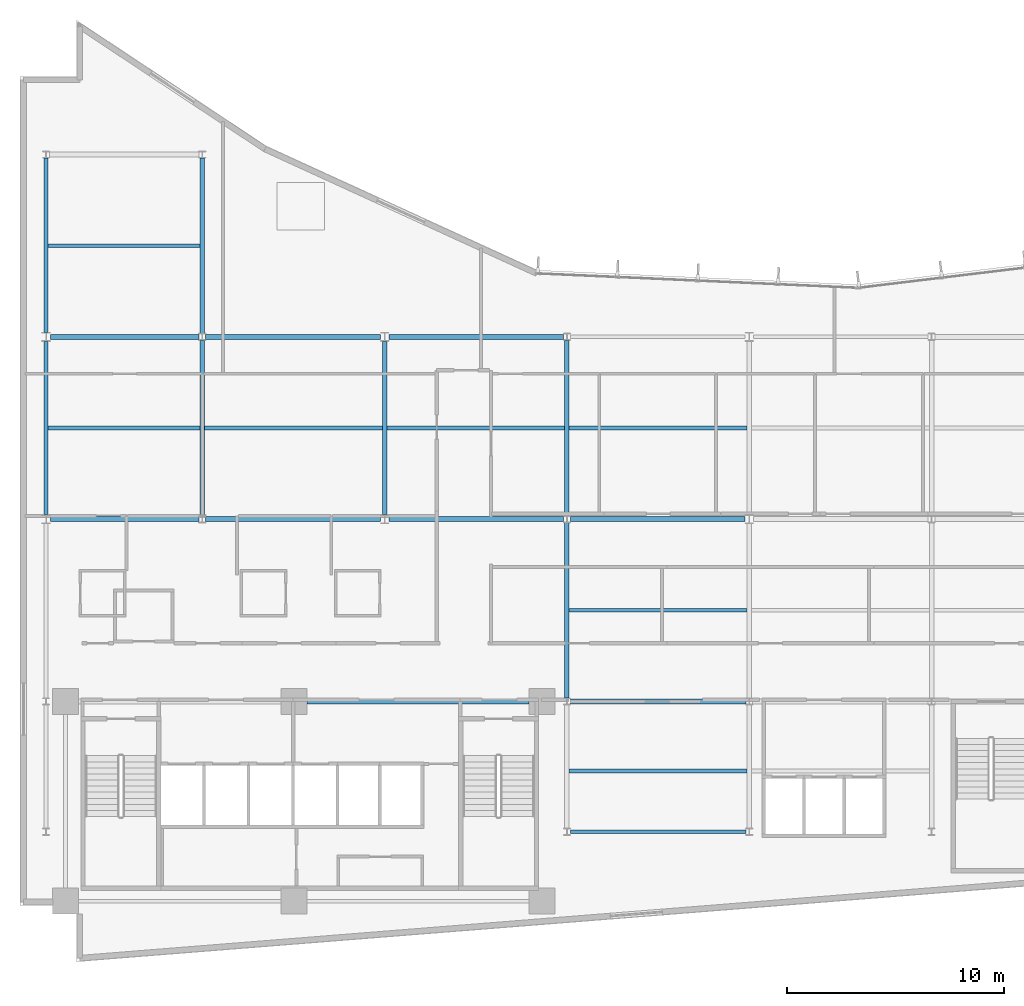
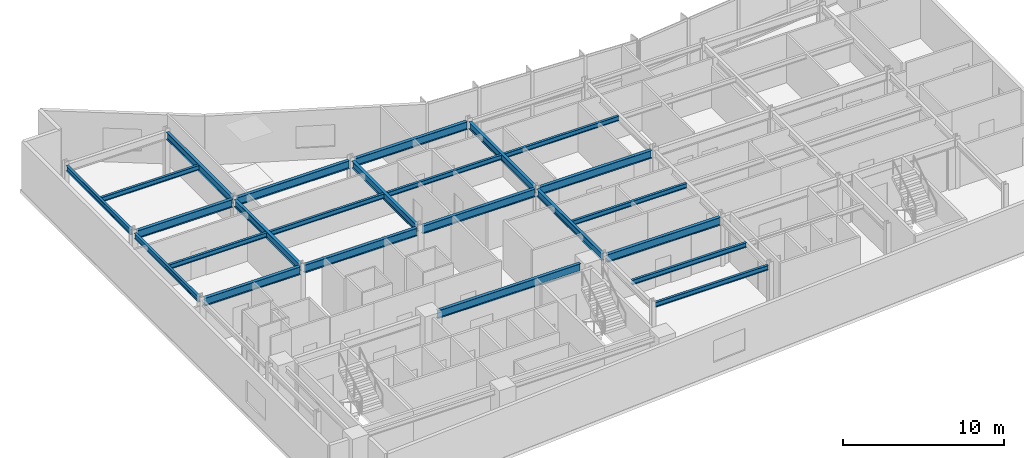
# One storey, part 4 of 18: 24 beams.
"""IFC4 building model written with IfcOpenShell, lengths in metres."""

from ifc_helpers import new_model, si_unit, direction, frame, origin, origin_2d, place, context, subcontext, project, spatial, i_section, extrude, material, material_profile, profile_set, type_object, element, save


model = new_model("IFC4")

# Units and contexts
model_context = context("Model", 3, precision=1e-05, world=origin(), true_north=direction((0.0, 1.0)))
body_context = subcontext(model_context, "Body", "Model", "MODEL_VIEW")
ifc_project = project(units=[si_unit("LENGTHUNIT", "METRE"), si_unit("AREAUNIT", "SQUARE_METRE"), si_unit("VOLUMEUNIT", "CUBIC_METRE"), si_unit("PLANEANGLEUNIT", "RADIAN"), si_unit("MASSUNIT", "GRAM", prefix="KILO")], contexts=[model_context])

# Site, building, storey
site_placement = place(None, origin())
site = spatial("IfcSite", under=ifc_project, at=site_placement, CompositionType="ELEMENT")
building_placement = place(site_placement, origin())
building = spatial("IfcBuilding", under=site, at=building_placement, Name="Varnakote Quay Hospital", CompositionType="ELEMENT")
storey_placement = place(building_placement, frame((0.0, 0.0, 150.75)))
storey = spatial("IfcBuildingStorey", under=building, at=storey_placement, Name="L37", CompositionType="ELEMENT", Elevation=150.75)

# Beams
ifc_material_1 = material(Name="Structural steel AS/NZS 3679.1 Grade 350 L0 (fy 340 MPa)", Category="steel")
ifc_material_profile_1 = material_profile(ifc_material_1, i_section(OverallWidth=0.208984375, OverallDepth=0.532958984375, WebThickness=0.01025390625, FlangeThickness=0.015625, FilletRadius=0.013916015625, at=origin_2d()), Name="530UB92.4")
ifc_profile_set_1 = profile_set([ifc_material_profile_1], Name="Structural steel AS/NZS 3679.1 Grade 350 L0 (fy 340 MPa)")
beam_type_1 = type_object("IfcBeamType", Name="BM-STL-530UB92-4", PredefinedType="BEAM", material=ifc_profile_set_1)
for number, where, z_axis, x_axis, name in (
    (1, (8.39990234375, 20.5576171875, 3.443603515625), (0.0, 1.0, 0.0), (-1.0, 0.0, 0.0), "L37 Primary Tie Beam"),
    (2, (8.39990234375, 28.95751953125, 3.443603515625), (0.0, 1.0, 0.0), (-1.0, 0.0, 0.0), "L37 Primary Tie Beam"),
):
    element("IfcBeam", number, at=place(storey_placement, frame(where, z_axis=z_axis, x_axis=x_axis)), inside=storey, type_object=beam_type_1, Name=name, PredefinedType="BEAM", context=body_context, shape_type="SweptSolid", body=[
        extrude(i_section(OverallWidth=0.208984375, OverallDepth=0.532958984375, WebThickness=0.01025390625, FlangeThickness=0.015625, FilletRadius=0.013916015625, at=origin_2d()), origin(), (0.0, 0.0, 1.0), 8.0849609375),
    ])
beam_1_placement = place(storey_placement, frame((16.800048828125, 20.610107421875, 3.443603515625), z_axis=(0.0, 1.0, 0.0), x_axis=(-1.0, 0.0, 0.0)))
element("IfcBeam", 3, at=beam_1_placement, inside=storey, type_object=beam_type_1, Name="L37 Primary Tie Beam", PredefinedType="BEAM", context=body_context, shape_type="SweptSolid", body=[
    extrude(i_section(OverallWidth=0.208984375, OverallDepth=0.532958984375, WebThickness=0.01025390625, FlangeThickness=0.015625, FilletRadius=0.013916015625, at=origin_2d()), origin(), (0.0, 0.0, 1.0), 7.97998046875),
])
for number, where, z_axis, x_axis, name in (
    (4, (25.199951171875, 12.157470703125, 3.443603515625), (0.0, 1.0, 0.0), (-1.0, 0.0, 0.0), "L37 Primary Tie Beam"),
    (5, (25.199951171875, 20.5576171875, 3.443603515625), (0.0, 1.0, 0.0), (-1.0, 0.0, 0.0), "L37 Primary Tie Beam"),
):
    element("IfcBeam", number, at=place(storey_placement, frame(where, z_axis=z_axis, x_axis=x_axis)), inside=storey, type_object=beam_type_1, Name=name, PredefinedType="BEAM", context=body_context, shape_type="SweptSolid", body=[
        extrude(i_section(OverallWidth=0.208984375, OverallDepth=0.532958984375, WebThickness=0.01025390625, FlangeThickness=0.015625, FilletRadius=0.013916015625, at=origin_2d()), origin(), (0.0, 0.0, 1.0), 8.0849609375),
    ])
ifc_material_2 = material(Name="Structural steel AS/NZS 3679.1 Grade 350 L0 (fy 340 MPa)", Category="steel")
ifc_material_profile_2 = material_profile(ifc_material_2, i_section(OverallWidth=0.22802734375, OverallDepth=0.60205078125, WebThickness=0.010498046875, FlangeThickness=0.014892578125, FilletRadius=0.013916015625, at=origin_2d()), Name="610UB101")
ifc_profile_set_2 = profile_set([ifc_material_profile_2], Name="Structural steel AS/NZS 3679.1 Grade 350 L0 (fy 340 MPa)")
beam_type_2 = type_object("IfcBeamType", Name="BM-STL-610UB101", PredefinedType="BEAM", material=ifc_profile_set_2)
beam_2_placement = place(storey_placement, frame((13.219970703125, 12.0, 3.408935546875), z_axis=(1.0, 0.0, 0.0), x_axis=(0.0, 1.0, 0.0)))
element("IfcBeam", 6, at=beam_2_placement, inside=storey, type_object=beam_type_2, Name="L37 Primary Floor Beam", PredefinedType="BEAM", context=body_context, shape_type="SweptSolid", body=[
    extrude(i_section(OverallWidth=0.22802734375, OverallDepth=0.60205078125, WebThickness=0.010498046875, FlangeThickness=0.014892578125, FilletRadius=0.013916015625, at=origin_2d()), origin(), (0.0, 0.0, 1.0), 10.22998046875),
])
beam_3_placement = place(storey_placement, frame((25.353515625, 12.0, 3.408935546875), z_axis=(1.0, 0.0, 0.0), x_axis=(0.0, 1.0, 0.0)))
element("IfcBeam", 7, at=beam_3_placement, inside=storey, type_object=beam_type_2, Name="L37 Primary Floor Beam", PredefinedType="BEAM", context=body_context, shape_type="SweptSolid", body=[
    extrude(i_section(OverallWidth=0.22802734375, OverallDepth=0.60205078125, WebThickness=0.010498046875, FlangeThickness=0.014892578125, FilletRadius=0.013916015625, at=origin_2d()), origin(), (0.0, 0.0, 1.0), 8.093017578125),
])
beam_4_placement = place(storey_placement, frame((1.39990234375, 20.39990234375, 3.408935546875), z_axis=(1.0, 0.0, 0.0), x_axis=(0.0, 1.0, 0.0)))
element("IfcBeam", 8, at=beam_4_placement, inside=storey, type_object=beam_type_2, Name="L37 Primary Floor Beam", PredefinedType="BEAM", context=body_context, shape_type="SweptSolid", body=[
    extrude(i_section(OverallWidth=0.22802734375, OverallDepth=0.60205078125, WebThickness=0.010498046875, FlangeThickness=0.014892578125, FilletRadius=0.013916015625, at=origin_2d()), origin(), (0.0, 0.0, 1.0), 6.8466796875),
])
beam_5_placement = place(storey_placement, frame((8.553466796875, 20.39990234375, 3.408935546875), z_axis=(1.0, 0.0, 0.0), x_axis=(0.0, 1.0, 0.0)))
element("IfcBeam", 9, at=beam_5_placement, inside=storey, type_object=beam_type_2, Name="L37 Primary Floor Beam", PredefinedType="BEAM", context=body_context, shape_type="SweptSolid", body=[
    extrude(i_section(OverallWidth=0.22802734375, OverallDepth=0.60205078125, WebThickness=0.010498046875, FlangeThickness=0.014892578125, FilletRadius=0.013916015625, at=origin_2d()), origin(), (0.0, 0.0, 1.0), 8.046630859375),
])
for number, where, z_axis, x_axis, name in (
    (10, (17.0, 20.39990234375, 3.408935546875), (1.0, 0.0, 0.0), (0.0, 1.0, 0.0), "L37 Primary Floor Beam"),
    (11, (25.353515625, 20.39990234375, 3.408935546875), (1.0, 0.0, 0.0), (0.0, 1.0, 0.0), "L37 Primary Floor Beam"),
):
    element("IfcBeam", number, at=place(storey_placement, frame(where, z_axis=z_axis, x_axis=x_axis)), inside=storey, type_object=beam_type_2, Name=name, PredefinedType="BEAM", context=body_context, shape_type="SweptSolid", body=[
        extrude(i_section(OverallWidth=0.22802734375, OverallDepth=0.60205078125, WebThickness=0.010498046875, FlangeThickness=0.014892578125, FilletRadius=0.013916015625, at=origin_2d()), origin(), (0.0, 0.0, 1.0), 8.04638671875),
    ])
beam_6_placement = place(storey_placement, frame((1.39990234375, 28.800048828125, 3.408935546875), z_axis=(1.0, 0.0, 0.0), x_axis=(0.0, 1.0, 0.0)))
element("IfcBeam", 12, at=beam_6_placement, inside=storey, type_object=beam_type_2, Name="L37 Primary Floor Beam", PredefinedType="BEAM", context=body_context, shape_type="SweptSolid", body=[
    extrude(i_section(OverallWidth=0.22802734375, OverallDepth=0.60205078125, WebThickness=0.010498046875, FlangeThickness=0.014892578125, FilletRadius=0.013916015625, at=origin_2d()), origin(), (0.0, 0.0, 1.0), 6.8466796875),
])
beam_7_placement = place(storey_placement, frame((8.553466796875, 28.800048828125, 3.408935546875), z_axis=(1.0, 0.0, 0.0), x_axis=(0.0, 1.0, 0.0)))
element("IfcBeam", 13, at=beam_7_placement, inside=storey, type_object=beam_type_2, Name="L37 Primary Floor Beam", PredefinedType="BEAM", context=body_context, shape_type="SweptSolid", body=[
    extrude(i_section(OverallWidth=0.22802734375, OverallDepth=0.60205078125, WebThickness=0.010498046875, FlangeThickness=0.014892578125, FilletRadius=0.013916015625, at=origin_2d()), origin(), (0.0, 0.0, 1.0), 8.046630859375),
])
beam_8_placement = place(storey_placement, frame((17.0, 28.800048828125, 3.408935546875), z_axis=(1.0, 0.0, 0.0), x_axis=(0.0, 1.0, 0.0)))
element("IfcBeam", 14, at=beam_8_placement, inside=storey, type_object=beam_type_2, Name="L37 Primary Floor Beam", PredefinedType="BEAM", context=body_context, shape_type="SweptSolid", body=[
    extrude(i_section(OverallWidth=0.22802734375, OverallDepth=0.60205078125, WebThickness=0.010498046875, FlangeThickness=0.014892578125, FilletRadius=0.013916015625, at=origin_2d()), origin(), (0.0, 0.0, 1.0), 8.04638671875),
])
ifc_material_3 = material(Name="Structural steel AS/NZS 3679.1 Grade 350 L0 (fy 340 MPa)", Category="steel")
ifc_material_profile_3 = material_profile(ifc_material_3, i_section(OverallWidth=0.1708984375, OverallDepth=0.35595703125, WebThickness=0.00732421875, FlangeThickness=0.011474609375, FilletRadius=0.011474609375, at=origin_2d()), Name="360UB50.7")
ifc_profile_set_3 = profile_set([ifc_material_profile_3], Name="Structural steel AS/NZS 3679.1 Grade 350 L0 (fy 340 MPa)")
beam_type_3 = type_object("IfcBeamType", Name="JST-STL-360UB50-7", PredefinedType="JOIST", material=ifc_profile_set_3)
for number, where, z_axis, x_axis, name in (
    (15, (25.304443359375, 8.800048828125, 3.531982421875), (1.0, 0.0, 0.0), (0.0, 1.0, 0.0), "L37 Composite Floor Joist"),
    (16, (25.304443359375, 16.199951171875, 3.531982421875), (1.0, 0.0, 0.0), (0.0, 1.0, 0.0), "L37 Composite Floor Joist"),
):
    element("IfcBeam", number, at=place(storey_placement, frame(where, z_axis=z_axis, x_axis=x_axis)), inside=storey, type_object=beam_type_3, Name=name, PredefinedType="JOIST", context=body_context, shape_type="SweptSolid", body=[
        extrude(i_section(OverallWidth=0.1708984375, OverallDepth=0.35595703125, WebThickness=0.00732421875, FlangeThickness=0.011474609375, FilletRadius=0.011474609375, at=origin_2d()), origin(), (0.0, 0.0, 1.0), 8.191162109375),
    ])
beam_9_placement = place(storey_placement, frame((1.2890625, 24.60009765625, 3.531982421875), z_axis=(1.0, 0.0, 0.0), x_axis=(0.0, 1.0, 0.0)))
element("IfcBeam", 17, at=beam_9_placement, inside=storey, type_object=beam_type_3, Name="L37 Composite Floor Joist", PredefinedType="JOIST", context=body_context, shape_type="SweptSolid", body=[
    extrude(i_section(OverallWidth=0.1708984375, OverallDepth=0.35595703125, WebThickness=0.00732421875, FlangeThickness=0.011474609375, FilletRadius=0.011474609375, at=origin_2d()), origin(), (0.0, 0.0, 1.0), 7.00634765625),
])
beam_10_placement = place(storey_placement, frame((8.50439453125, 24.60009765625, 3.531982421875), z_axis=(1.0, 0.0, 0.0), x_axis=(0.0, 1.0, 0.0)))
element("IfcBeam", 18, at=beam_10_placement, inside=storey, type_object=beam_type_3, Name="L37 Composite Floor Joist", PredefinedType="JOIST", context=body_context, shape_type="SweptSolid", body=[
    extrude(i_section(OverallWidth=0.1708984375, OverallDepth=0.35595703125, WebThickness=0.00732421875, FlangeThickness=0.011474609375, FilletRadius=0.011474609375, at=origin_2d()), origin(), (0.0, 0.0, 1.0), 8.191162109375),
])
beam_11_placement = place(storey_placement, frame((16.904541015625, 24.60009765625, 3.531982421875), z_axis=(1.0, 0.0, 0.0), x_axis=(0.0, 1.0, 0.0)))
element("IfcBeam", 19, at=beam_11_placement, inside=storey, type_object=beam_type_3, Name="L37 Composite Floor Joist", PredefinedType="JOIST", context=body_context, shape_type="SweptSolid", body=[
    extrude(i_section(OverallWidth=0.1708984375, OverallDepth=0.35595703125, WebThickness=0.00732421875, FlangeThickness=0.011474609375, FilletRadius=0.011474609375, at=origin_2d()), origin(), (0.0, 0.0, 1.0), 8.19091796875),
])
beam_12_placement = place(storey_placement, frame((25.304443359375, 24.60009765625, 3.531982421875), z_axis=(1.0, 0.0, 0.0), x_axis=(0.0, 1.0, 0.0)))
element("IfcBeam", 20, at=beam_12_placement, inside=storey, type_object=beam_type_3, Name="L37 Composite Floor Joist", PredefinedType="JOIST", context=body_context, shape_type="SweptSolid", body=[
    extrude(i_section(OverallWidth=0.1708984375, OverallDepth=0.35595703125, WebThickness=0.00732421875, FlangeThickness=0.011474609375, FilletRadius=0.011474609375, at=origin_2d()), origin(), (0.0, 0.0, 1.0), 8.191162109375),
])
beam_13_placement = place(storey_placement, frame((1.2890625, 33.0, 3.531982421875), z_axis=(1.0, 0.0, 0.0), x_axis=(0.0, 1.0, 0.0)))
element("IfcBeam", 21, at=beam_13_placement, inside=storey, type_object=beam_type_3, Name="L37 Composite Floor Joist", PredefinedType="JOIST", context=body_context, shape_type="SweptSolid", body=[
    extrude(i_section(OverallWidth=0.1708984375, OverallDepth=0.35595703125, WebThickness=0.00732421875, FlangeThickness=0.011474609375, FilletRadius=0.011474609375, at=origin_2d()), origin(), (0.0, 0.0, 1.0), 7.00634765625),
])
ifc_material_4 = material(Name="Structural steel AS/NZS 3679.1 Grade 350 L0 (fy 340 MPa)", Category="steel")
ifc_material_profile_4 = material_profile(ifc_material_4, i_section(OverallWidth=0.172119140625, OverallDepth=0.35888671875, WebThickness=0.008056640625, FlangeThickness=0.012939453125, FilletRadius=0.011474609375, at=origin_2d()), Name="360UB56.7")
ifc_profile_set_4 = profile_set([ifc_material_profile_4], Name="Structural steel AS/NZS 3679.1 Grade 350 L0 (fy 340 MPa)")
beam_type_4 = type_object("IfcBeamType", Name="SPN-STL-360UB56-7", PredefinedType="SPANDREL", material=ifc_profile_set_4)
beam_14_placement = place(storey_placement, frame((25.353515625, 6.0, 3.530517578125), z_axis=(1.0, 0.0, 0.0), x_axis=(0.0, 1.0, 0.0)))
element("IfcBeam", 22, at=beam_14_placement, inside=storey, type_object=beam_type_4, Name="L37 Perimeter Spandrel Beam", PredefinedType="SPANDREL", context=body_context, shape_type="SweptSolid", body=[
    extrude(i_section(OverallWidth=0.172119140625, OverallDepth=0.35888671875, WebThickness=0.008056640625, FlangeThickness=0.012939453125, FilletRadius=0.011474609375, at=origin_2d()), origin(), (0.0, 0.0, 1.0), 8.093017578125),
])
ifc_material_5 = material(Name="Structural steel AS/NZS 3679.1 Grade 350 L0 (fy 340 MPa)", Category="steel")
ifc_material_profile_5 = material_profile(ifc_material_5, i_section(OverallWidth=0.177978515625, OverallDepth=0.403076171875, WebThickness=0.007568359375, FlangeThickness=0.010986328125, FilletRadius=0.011474609375, at=origin_2d()), Name="410UB53.7")
ifc_profile_set_5 = profile_set([ifc_material_profile_5], Name="Structural steel AS/NZS 3679.1 Grade 350 L0 (fy 340 MPa)")
beam_type_5 = type_object("IfcBeamType", Name="SPN-STL-410UB53-7", PredefinedType="SPANDREL", material=ifc_profile_set_5)
beam_15_placement = place(storey_placement, frame((1.199951171875, 20.610107421875, 3.508544921875), z_axis=(0.0, 1.0, 0.0), x_axis=(-1.0, 0.0, 0.0)))
element("IfcBeam", 23, at=beam_15_placement, inside=storey, type_object=beam_type_5, Name="L37 Perimeter Spandrel Beam", PredefinedType="SPANDREL", context=body_context, shape_type="SweptSolid", body=[
    extrude(i_section(OverallWidth=0.177978515625, OverallDepth=0.403076171875, WebThickness=0.007568359375, FlangeThickness=0.010986328125, FilletRadius=0.011474609375, at=origin_2d()), origin(), (0.0, 0.0, 1.0), 7.97998046875),
])
beam_16_placement = place(storey_placement, frame((1.199951171875, 29.010009765625, 3.508544921875), z_axis=(0.0, 1.0, 0.0), x_axis=(-1.0, 0.0, 0.0)))
element("IfcBeam", 24, at=beam_16_placement, inside=storey, type_object=beam_type_5, Name="L37 Perimeter Spandrel Beam", PredefinedType="SPANDREL", context=body_context, shape_type="SweptSolid", body=[
    extrude(i_section(OverallWidth=0.177978515625, OverallDepth=0.403076171875, WebThickness=0.007568359375, FlangeThickness=0.010986328125, FilletRadius=0.011474609375, at=origin_2d()), origin(), (0.0, 0.0, 1.0), 8.032470703125),
])

save(model, "model.ifc")
